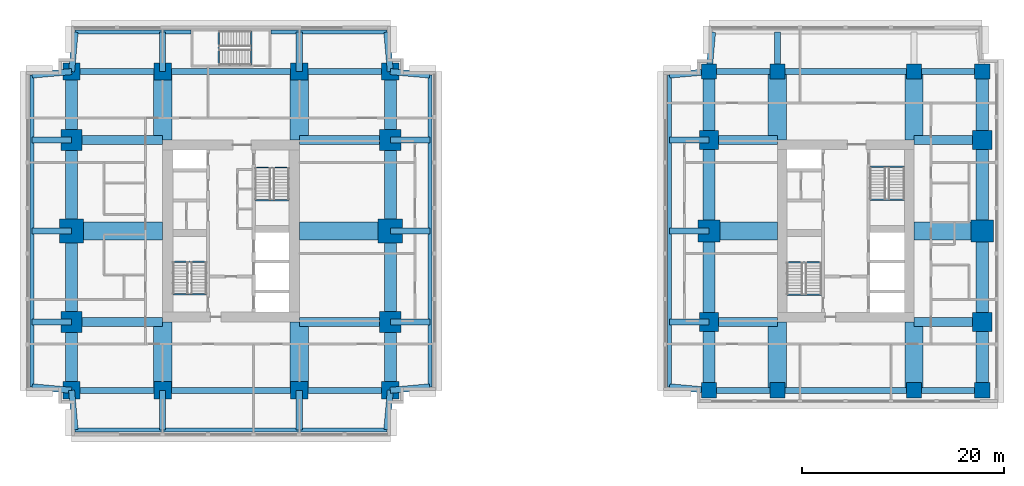
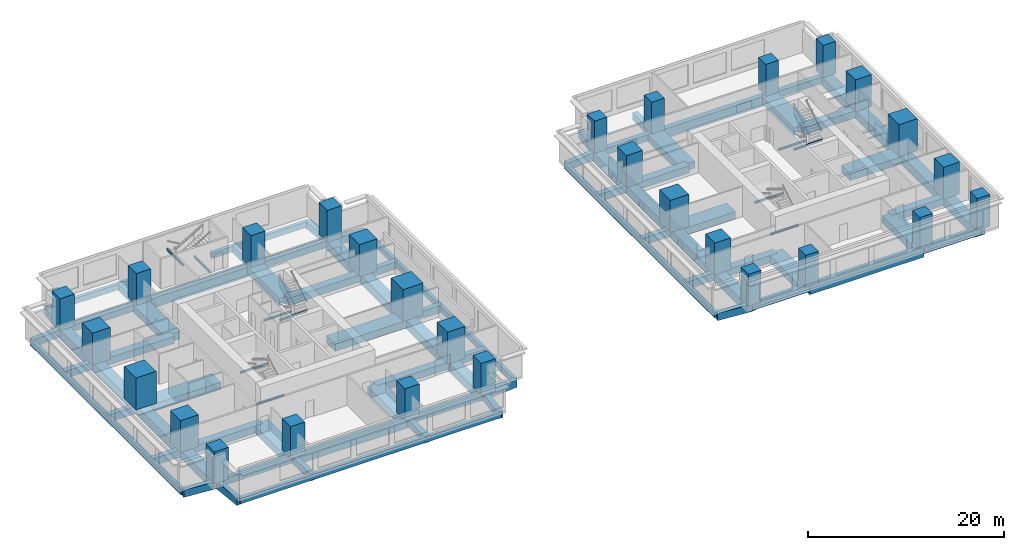
# One storey, part 1 of 10: 89 beams, 28 columns.
"""IFC4 building model written with IfcOpenShell, lengths in metres."""

from ifc_helpers import new_model, si_unit, direction, frame, origin, origin_2d, place, context, subcontext, project, spatial, rectangle, i_section, extrude, material, material_profile, profile_set, type_object, element, save


model = new_model("IFC4")

# Units and contexts
model_context = context("Model", 3, precision=1e-05, world=origin(), true_north=direction((0.0, 1.0)))
body_context = subcontext(model_context, "Body", "Model", "MODEL_VIEW")
ifc_project = project(units=[si_unit("LENGTHUNIT", "METRE"), si_unit("AREAUNIT", "SQUARE_METRE"), si_unit("VOLUMEUNIT", "CUBIC_METRE"), si_unit("PLANEANGLEUNIT", "RADIAN"), si_unit("MASSUNIT", "GRAM", prefix="KILO")], contexts=[model_context])

# Site, building, storey
site_placement = place(None, origin())
site = spatial("IfcSite", under=ifc_project, at=site_placement, CompositionType="ELEMENT")
building_placement = place(site_placement, origin())
building = spatial("IfcBuilding", under=site, at=building_placement, Name="Namib Vertical Campus", CompositionType="ELEMENT")
storey_placement = place(building_placement, frame((0.0, 0.0, 141.0)))
storey = spatial("IfcBuildingStorey", under=building, at=storey_placement, Name="L33", CompositionType="ELEMENT", Elevation=141.0)

# Columns
ifc_material_1 = material(Name="Concrete C60/75", Category="concrete")
ifc_material_profile_1 = material_profile(ifc_material_1, rectangle(XDim=1.5, YDim=1.5, at=origin_2d()))
ifc_profile_set_1 = profile_set([ifc_material_profile_1], Name="Concrete C60/75")
column_type_1 = type_object("IfcColumnType", Name="Column RC 1500x1500", PredefinedType="COLUMN", material=ifc_profile_set_1)
for number, where, z_axis, x_axis, name in (
    (1, (67.5, 4.5, 0.0), (0.0, 0.0, 1.0), (1.0, 0.0, 0.0), "Column C150 L33"),
    (2, (74.25, 4.5, 0.0), (0.0, 0.0, 1.0), (1.0, 0.0, 0.0), "Column C150 L33"),
    (3, (87.75, 4.5, 0.0), (0.0, 0.0, 1.0), (1.0, 0.0, 0.0), "Column C150 L33"),
    (4, (94.5, 4.5, 0.0), (0.0, 0.0, 1.0), (1.0, 0.0, 0.0), "Column C150 L33"),
    (5, (67.5, 36.0, 0.0), (0.0, 0.0, 1.0), (1.0, 0.0, 0.0), "Column C150 L33"),
    (6, (74.25, 36.0, 0.0), (0.0, 0.0, 1.0), (1.0, 0.0, 0.0), "Column C150 L33"),
    (7, (87.75, 36.0, 0.0), (0.0, 0.0, 1.0), (1.0, 0.0, 0.0), "Column C150 L33"),
    (8, (94.5, 36.0, 0.0), (0.0, 0.0, 1.0), (1.0, 0.0, 0.0), "Column C150 L33"),
):
    element("IfcColumn", number, at=place(storey_placement, frame(where, z_axis=z_axis, x_axis=x_axis)), inside=storey, type_object=column_type_1, Name=name, PredefinedType="COLUMN", context=body_context, shape_type="SweptSolid", body=[
        extrude(rectangle(XDim=1.5, YDim=1.5, at=origin_2d()), origin(), (0.0, 0.0, 1.0), 4.0),
    ])
ifc_material_2 = material(Name="Concrete C60/75", Category="concrete")
ifc_material_profile_2 = material_profile(ifc_material_2, rectangle(XDim=1.699951171875, YDim=1.699951171875, at=origin_2d()))
ifc_profile_set_2 = profile_set([ifc_material_profile_2], Name="Concrete C60/75")
column_type_2 = type_object("IfcColumnType", Name="Column RC 1700x1700", PredefinedType="COLUMN", material=ifc_profile_set_2)
for number, where, z_axis, x_axis, name in (
    (9, (4.5, 4.5, 0.0), (0.0, 0.0, 1.0), (1.0, 0.0, 0.0), "Column C170 L33"),
    (10, (13.5, 4.5, 0.0), (0.0, 0.0, 1.0), (1.0, 0.0, 0.0), "Column C170 L33"),
    (11, (27.0, 4.5, 0.0), (0.0, 0.0, 1.0), (1.0, 0.0, 0.0), "Column C170 L33"),
    (12, (36.0, 4.5, 0.0), (0.0, 0.0, 1.0), (1.0, 0.0, 0.0), "Column C170 L33"),
    (13, (4.5, 36.0, 0.0), (0.0, 0.0, 1.0), (1.0, 0.0, 0.0), "Column C170 L33"),
    (14, (13.5, 36.0, 0.0), (0.0, 0.0, 1.0), (1.0, 0.0, 0.0), "Column C170 L33"),
    (15, (27.0, 36.0, 0.0), (0.0, 0.0, 1.0), (1.0, 0.0, 0.0), "Column C170 L33"),
    (16, (36.0, 36.0, 0.0), (0.0, 0.0, 1.0), (1.0, 0.0, 0.0), "Column C170 L33"),
):
    element("IfcColumn", number, at=place(storey_placement, frame(where, z_axis=z_axis, x_axis=x_axis)), inside=storey, type_object=column_type_2, Name=name, PredefinedType="COLUMN", context=body_context, shape_type="SweptSolid", body=[
        extrude(rectangle(XDim=1.699951171875, YDim=1.699951171875, at=origin_2d()), origin(), (0.0, 0.0, 1.0), 4.0),
    ])
ifc_material_3 = material(Name="Concrete C60/75", Category="concrete")
ifc_material_profile_3 = material_profile(ifc_material_3, rectangle(XDim=1.89990234375, YDim=1.89990234375, at=origin_2d()))
ifc_profile_set_3 = profile_set([ifc_material_profile_3], Name="Concrete C60/75")
column_type_3 = type_object("IfcColumnType", Name="Column RC 1900x1900", PredefinedType="COLUMN", material=ifc_profile_set_3)
for number, where, z_axis, x_axis, name in (
    (17, (67.5, 11.25, 0.0), (0.0, 0.0, 1.0), (1.0, 0.0, 0.0), "Column C190 L33"),
    (18, (94.5, 11.25, 0.0), (0.0, 0.0, 1.0), (1.0, 0.0, 0.0), "Column C190 L33"),
    (19, (67.5, 29.25, 0.0), (0.0, 0.0, 1.0), (1.0, 0.0, 0.0), "Column C190 L33"),
    (20, (94.5, 29.25, 0.0), (0.0, 0.0, 1.0), (1.0, 0.0, 0.0), "Column C190 L33"),
):
    element("IfcColumn", number, at=place(storey_placement, frame(where, z_axis=z_axis, x_axis=x_axis)), inside=storey, type_object=column_type_3, Name=name, PredefinedType="COLUMN", context=body_context, shape_type="SweptSolid", body=[
        extrude(rectangle(XDim=1.89990234375, YDim=1.89990234375, at=origin_2d()), origin(), (0.0, 0.0, 1.0), 4.0),
    ])
ifc_material_4 = material(Name="Concrete C60/75", Category="concrete")
ifc_material_profile_4 = material_profile(ifc_material_4, rectangle(XDim=2.10009765625, YDim=2.10009765625, at=origin_2d()))
ifc_profile_set_4 = profile_set([ifc_material_profile_4], Name="Concrete C60/75")
column_type_4 = type_object("IfcColumnType", Name="Column RC 2100x2100", PredefinedType="COLUMN", material=ifc_profile_set_4)
for number, where, z_axis, x_axis, name in (
    (21, (4.5, 11.25, 0.0), (0.0, 0.0, 1.0), (1.0, 0.0, 0.0), "Column C210 L33"),
    (22, (36.0, 11.25, 0.0), (0.0, 0.0, 1.0), (1.0, 0.0, 0.0), "Column C210 L33"),
    (23, (4.5, 29.25, 0.0), (0.0, 0.0, 1.0), (1.0, 0.0, 0.0), "Column C210 L33"),
    (24, (36.0, 29.25, 0.0), (0.0, 0.0, 1.0), (1.0, 0.0, 0.0), "Column C210 L33"),
):
    element("IfcColumn", number, at=place(storey_placement, frame(where, z_axis=z_axis, x_axis=x_axis)), inside=storey, type_object=column_type_4, Name=name, PredefinedType="COLUMN", context=body_context, shape_type="SweptSolid", body=[
        extrude(rectangle(XDim=2.10009765625, YDim=2.10009765625, at=origin_2d()), origin(), (0.0, 0.0, 1.0), 4.0),
    ])
ifc_material_5 = material(Name="Concrete C60/75", Category="concrete")
ifc_material_profile_5 = material_profile(ifc_material_5, rectangle(XDim=2.199951171875, YDim=2.199951171875, at=origin_2d()))
ifc_profile_set_5 = profile_set([ifc_material_profile_5], Name="Concrete C60/75")
column_type_5 = type_object("IfcColumnType", Name="Column RC 2200x2200", PredefinedType="COLUMN", material=ifc_profile_set_5)
for number, where, z_axis, x_axis, name in (
    (25, (67.5, 20.25, 0.0), (0.0, 0.0, 1.0), (1.0, 0.0, 0.0), "Column C220 L33"),
    (26, (94.5, 20.25, 0.0), (0.0, 0.0, 1.0), (1.0, 0.0, 0.0), "Column C220 L33"),
):
    element("IfcColumn", number, at=place(storey_placement, frame(where, z_axis=z_axis, x_axis=x_axis)), inside=storey, type_object=column_type_5, Name=name, PredefinedType="COLUMN", context=body_context, shape_type="SweptSolid", body=[
        extrude(rectangle(XDim=2.199951171875, YDim=2.199951171875, at=origin_2d()), origin(), (0.0, 0.0, 1.0), 4.0),
    ])
ifc_material_6 = material(Name="Concrete C60/75", Category="concrete")
ifc_material_profile_6 = material_profile(ifc_material_6, rectangle(XDim=2.39990234375, YDim=2.39990234375, at=origin_2d()))
ifc_profile_set_6 = profile_set([ifc_material_profile_6], Name="Concrete C60/75")
column_type_6 = type_object("IfcColumnType", Name="Column RC 2400x2400", PredefinedType="COLUMN", material=ifc_profile_set_6)
for number, where, z_axis, x_axis, name in (
    (27, (4.5, 20.25, 0.0), (0.0, 0.0, 1.0), (1.0, 0.0, 0.0), "Column C240 L33"),
    (28, (36.0, 20.25, 0.0), (0.0, 0.0, 1.0), (1.0, 0.0, 0.0), "Column C240 L33"),
):
    element("IfcColumn", number, at=place(storey_placement, frame(where, z_axis=z_axis, x_axis=x_axis)), inside=storey, type_object=column_type_6, Name=name, PredefinedType="COLUMN", context=body_context, shape_type="SweptSolid", body=[
        extrude(rectangle(XDim=2.39990234375, YDim=2.39990234375, at=origin_2d()), origin(), (0.0, 0.0, 1.0), 4.0),
    ])

# Beams
ifc_material_7 = material(Name="Concrete C40/50", Category="concrete")
ifc_material_profile_7 = material_profile(ifc_material_7, rectangle(XDim=0.60009765625, YDim=0.89990234375, at=origin_2d()))
ifc_profile_set_7 = profile_set([ifc_material_profile_7], Name="Concrete C40/50")
beam_type_1 = type_object("IfcBeamType", Name="Cantilever girder RC 600x900", PredefinedType="BEAM", material=ifc_profile_set_7)
beam_1_placement = place(storey_placement, frame((4.5, 4.5, -0.699951171875), z_axis=(0.089411326146, -0.995994786511, 0.0), x_axis=(0.995994786511, 0.089411326146, 0.0)))
element("IfcBeam", 29, at=beam_1_placement, inside=storey, type_object=beam_type_1, Name="Beam B3 L33", PredefinedType="BEAM", context=body_context, shape_type="SweptSolid", body=[
    extrude(rectangle(XDim=0.60009765625, YDim=0.89990234375, at=origin_2d()), origin(), (0.0, 0.0, 1.0), 3.91552734375),
])
for number, where, z_axis, x_axis, name in (
    (30, (13.5, 4.5, -0.699951171875), (0.0, -1.0, 0.0), (1.0, 0.0, 0.0), "Beam B3 L33"),
    (31, (27.0, 4.5, -0.699951171875), (0.0, -1.0, 0.0), (1.0, 0.0, 0.0), "Beam B3 L33"),
):
    element("IfcBeam", number, at=place(storey_placement, frame(where, z_axis=z_axis, x_axis=x_axis)), inside=storey, type_object=beam_type_1, Name=name, PredefinedType="BEAM", context=body_context, shape_type="SweptSolid", body=[
        extrude(rectangle(XDim=0.60009765625, YDim=0.89990234375, at=origin_2d()), origin(), (0.0, 0.0, 1.0), 3.89990234375),
    ])
for number, where, z_axis, x_axis, name in (
    (32, (36.0, 4.5, -0.699951171875), (-0.089411326146, -0.995994786511, 0.0), (0.995994786511, -0.089411326146, 0.0), "Beam B3 L33"),
    (33, (4.5, 36.0, -0.699951171875), (0.089411326146, 0.995994786511, 0.0), (-0.995994786511, 0.089411326146, 0.0), "Beam B3 L33"),
):
    element("IfcBeam", number, at=place(storey_placement, frame(where, z_axis=z_axis, x_axis=x_axis)), inside=storey, type_object=beam_type_1, Name=name, PredefinedType="BEAM", context=body_context, shape_type="SweptSolid", body=[
        extrude(rectangle(XDim=0.60009765625, YDim=0.89990234375, at=origin_2d()), origin(), (0.0, 0.0, 1.0), 3.91552734375),
    ])
for number, where, z_axis, x_axis, name in (
    (34, (13.5, 36.0, -0.699951171875), (0.0, 1.0, 0.0), (-1.0, 0.0, 0.0), "Beam B3 L33"),
    (35, (27.0, 36.0, -0.699951171875), (0.0, 1.0, 0.0), (-1.0, 0.0, 0.0), "Beam B3 L33"),
):
    element("IfcBeam", number, at=place(storey_placement, frame(where, z_axis=z_axis, x_axis=x_axis)), inside=storey, type_object=beam_type_1, Name=name, PredefinedType="BEAM", context=body_context, shape_type="SweptSolid", body=[
        extrude(rectangle(XDim=0.60009765625, YDim=0.89990234375, at=origin_2d()), origin(), (0.0, 0.0, 1.0), 3.89990234375),
    ])
for number, where, z_axis, x_axis, name in (
    (36, (36.0, 36.0, -0.699951171875), (-0.089411326146, 0.995994786511, 0.0), (-0.995994786511, -0.089411326146, 0.0), "Beam B3 L33"),
    (37, (4.5, 4.5, -0.699951171875), (-0.995994786511, 0.089411326146, 0.0), (-0.089411326146, -0.995994786511, 0.0), "Beam B3 L33"),
):
    element("IfcBeam", number, at=place(storey_placement, frame(where, z_axis=z_axis, x_axis=x_axis)), inside=storey, type_object=beam_type_1, Name=name, PredefinedType="BEAM", context=body_context, shape_type="SweptSolid", body=[
        extrude(rectangle(XDim=0.60009765625, YDim=0.89990234375, at=origin_2d()), origin(), (0.0, 0.0, 1.0), 3.91552734375),
    ])
for number, where, z_axis, x_axis, name in (
    (38, (4.5, 11.25, -0.699951171875), (-1.0, 0.0, 0.0), (0.0, -1.0, 0.0), "Beam B3 L33"),
    (39, (4.5, 20.25, -0.699951171875), (-1.0, 0.0, 0.0), (0.0, -1.0, 0.0), "Beam B3 L33"),
    (40, (4.5, 29.25, -0.699951171875), (-1.0, 0.0, 0.0), (0.0, -1.0, 0.0), "Beam B3 L33"),
):
    element("IfcBeam", number, at=place(storey_placement, frame(where, z_axis=z_axis, x_axis=x_axis)), inside=storey, type_object=beam_type_1, Name=name, PredefinedType="BEAM", context=body_context, shape_type="SweptSolid", body=[
        extrude(rectangle(XDim=0.60009765625, YDim=0.89990234375, at=origin_2d()), origin(), (0.0, 0.0, 1.0), 3.89990234375),
    ])
for number, where, z_axis, x_axis, name in (
    (41, (4.5, 36.0, -0.699951171875), (-0.995994786511, -0.089411326146, 0.0), (0.089411326146, -0.995994786511, 0.0), "Beam B3 L33"),
    (42, (36.0, 4.5, -0.699951171875), (0.995994786511, 0.089411326146, 0.0), (-0.089411326146, 0.995994786511, 0.0), "Beam B3 L33"),
):
    element("IfcBeam", number, at=place(storey_placement, frame(where, z_axis=z_axis, x_axis=x_axis)), inside=storey, type_object=beam_type_1, Name=name, PredefinedType="BEAM", context=body_context, shape_type="SweptSolid", body=[
        extrude(rectangle(XDim=0.60009765625, YDim=0.89990234375, at=origin_2d()), origin(), (0.0, 0.0, 1.0), 3.91552734375),
    ])
for number, where, z_axis, x_axis, name in (
    (43, (36.0, 11.25, -0.699951171875), (1.0, 0.0, 0.0), (0.0, 1.0, 0.0), "Beam B3 L33"),
    (44, (36.0, 20.25, -0.699951171875), (1.0, 0.0, 0.0), (0.0, 1.0, 0.0), "Beam B3 L33"),
    (45, (36.0, 29.25, -0.699951171875), (1.0, 0.0, 0.0), (0.0, 1.0, 0.0), "Beam B3 L33"),
):
    element("IfcBeam", number, at=place(storey_placement, frame(where, z_axis=z_axis, x_axis=x_axis)), inside=storey, type_object=beam_type_1, Name=name, PredefinedType="BEAM", context=body_context, shape_type="SweptSolid", body=[
        extrude(rectangle(XDim=0.60009765625, YDim=0.89990234375, at=origin_2d()), origin(), (0.0, 0.0, 1.0), 3.89990234375),
    ])
for number, where, z_axis, x_axis, name in (
    (46, (36.0, 36.0, -0.699951171875), (0.995994786511, -0.089411326146, 0.0), (0.089411326146, 0.995994786511, 0.0), "Beam B3 L33"),
    (47, (67.5, 36.0, -0.699951171875), (0.089411326146, 0.995994786511, 0.0), (-0.995994786511, 0.089411326146, 0.0), "Beam B3 L33"),
):
    element("IfcBeam", number, at=place(storey_placement, frame(where, z_axis=z_axis, x_axis=x_axis)), inside=storey, type_object=beam_type_1, Name=name, PredefinedType="BEAM", context=body_context, shape_type="SweptSolid", body=[
        extrude(rectangle(XDim=0.60009765625, YDim=0.89990234375, at=origin_2d()), origin(), (0.0, 0.0, 1.0), 3.91552734375),
    ])
beam_2_placement = place(storey_placement, frame((74.25, 36.0, -0.699951171875), z_axis=(0.0, 1.0, 0.0), x_axis=(-1.0, 0.0, 0.0)))
element("IfcBeam", 48, at=beam_2_placement, inside=storey, type_object=beam_type_1, Name="Beam B3 L33", PredefinedType="BEAM", context=body_context, shape_type="SweptSolid", body=[
    extrude(rectangle(XDim=0.60009765625, YDim=0.89990234375, at=origin_2d()), origin(), (0.0, 0.0, 1.0), 3.89990234375),
])
beam_3_placement = place(storey_placement, frame((67.5, 4.5, -0.699951171875), z_axis=(-0.995994786511, 0.089411326146, 0.0), x_axis=(-0.089411326146, -0.995994786511, 0.0)))
element("IfcBeam", 49, at=beam_3_placement, inside=storey, type_object=beam_type_1, Name="Beam B3 L33", PredefinedType="BEAM", context=body_context, shape_type="SweptSolid", body=[
    extrude(rectangle(XDim=0.60009765625, YDim=0.89990234375, at=origin_2d()), origin(), (0.0, 0.0, 1.0), 3.91552734375),
])
for number, where, z_axis, x_axis, name in (
    (50, (67.5, 11.25, -0.699951171875), (-1.0, 0.0, 0.0), (0.0, -1.0, 0.0), "Beam B3 L33"),
    (51, (67.5, 20.25, -0.699951171875), (-1.0, 0.0, 0.0), (0.0, -1.0, 0.0), "Beam B3 L33"),
    (52, (67.5, 29.25, -0.699951171875), (-1.0, 0.0, 0.0), (0.0, -1.0, 0.0), "Beam B3 L33"),
):
    element("IfcBeam", number, at=place(storey_placement, frame(where, z_axis=z_axis, x_axis=x_axis)), inside=storey, type_object=beam_type_1, Name=name, PredefinedType="BEAM", context=body_context, shape_type="SweptSolid", body=[
        extrude(rectangle(XDim=0.60009765625, YDim=0.89990234375, at=origin_2d()), origin(), (0.0, 0.0, 1.0), 3.89990234375),
    ])
beam_4_placement = place(storey_placement, frame((67.5, 36.0, -0.699951171875), z_axis=(-0.995994786511, -0.089411326146, 0.0), x_axis=(0.089411326146, -0.995994786511, 0.0)))
element("IfcBeam", 53, at=beam_4_placement, inside=storey, type_object=beam_type_1, Name="Beam B3 L33", PredefinedType="BEAM", context=body_context, shape_type="SweptSolid", body=[
    extrude(rectangle(XDim=0.60009765625, YDim=0.89990234375, at=origin_2d()), origin(), (0.0, 0.0, 1.0), 3.91552734375),
])
ifc_material_8 = material(Name="Concrete C40/50", Category="concrete")
ifc_material_profile_8 = material_profile(ifc_material_8, rectangle(XDim=0.39990234375, YDim=0.699951171875, at=origin_2d()))
ifc_profile_set_8 = profile_set([ifc_material_profile_8], Name="Concrete C40/50")
beam_type_2 = type_object("IfcBeamType", Name="Edge beam RC 400x700", PredefinedType="SPANDREL", material=ifc_profile_set_8)
beam_5_placement = place(storey_placement, frame((4.85009765625, 0.60009765625, -0.60009765625), z_axis=(1.0, 0.0, 0.0), x_axis=(0.0, 1.0, 0.0)))
element("IfcBeam", 54, at=beam_5_placement, inside=storey, type_object=beam_type_2, Name="Beam B4 L33", PredefinedType="SPANDREL", context=body_context, shape_type="SweptSolid", body=[
    extrude(rectangle(XDim=0.39990234375, YDim=0.699951171875, at=origin_2d()), origin(), (0.0, 0.0, 1.0), 30.7998046875),
])
for number, where, z_axis, x_axis, name in (
    (55, (4.85009765625, 39.89990234375, -0.60009765625), (1.0, 0.0, 0.0), (0.0, 1.0, 0.0), "Beam B4 L33"),
    (56, (24.199951171875, 39.89990234375, -0.60009765625), (1.0, 0.0, 0.0), (0.0, 1.0, 0.0), "Beam B4 L33"),
):
    element("IfcBeam", number, at=place(storey_placement, frame(where, z_axis=z_axis, x_axis=x_axis)), inside=storey, type_object=beam_type_2, Name=name, PredefinedType="SPANDREL", context=body_context, shape_type="SweptSolid", body=[
        extrude(rectangle(XDim=0.39990234375, YDim=0.699951171875, at=origin_2d()), origin(), (0.0, 0.0, 1.0), 11.449951171875),
    ])
for number, where, z_axis, x_axis, name in (
    (57, (0.60009765625, 4.85009765625, -0.60009765625), (0.0, 1.0, 0.0), (-1.0, 0.0, 0.0), "Beam B4 L33"),
    (58, (39.89990234375, 4.85009765625, -0.60009765625), (0.0, 1.0, 0.0), (-1.0, 0.0, 0.0), "Beam B4 L33"),
    (59, (63.60009765625, 4.85009765625, -0.60009765625), (0.0, 1.0, 0.0), (-1.0, 0.0, 0.0), "Beam B4 L33"),
):
    element("IfcBeam", number, at=place(storey_placement, frame(where, z_axis=z_axis, x_axis=x_axis)), inside=storey, type_object=beam_type_2, Name=name, PredefinedType="SPANDREL", context=body_context, shape_type="SweptSolid", body=[
        extrude(rectangle(XDim=0.39990234375, YDim=0.699951171875, at=origin_2d()), origin(), (0.0, 0.0, 1.0), 30.7998046875),
    ])
ifc_material_9 = material(Name="Concrete C40/50", Category="concrete")
ifc_material_profile_9 = material_profile(ifc_material_9, rectangle(XDim=0.89990234375, YDim=0.89990234375, at=origin_2d()))
ifc_profile_set_9 = profile_set([ifc_material_profile_9], Name="Concrete C40/50")
beam_type_3 = type_object("IfcBeamType", Name="Face girder RC 900x900", PredefinedType="BEAM", material=ifc_profile_set_9)
for number, where, z_axis, x_axis, name in (
    (60, (4.5, 11.25, -0.699951171875), (1.0, 0.0, 0.0), (0.0, 1.0, 0.0), "Beam B10 L33"),
    (61, (36.0, 11.25, -0.699951171875), (-1.0, 0.0, 0.0), (0.0, -1.0, 0.0), "Beam B10 L33"),
    (62, (4.5, 29.25, -0.699951171875), (1.0, 0.0, 0.0), (0.0, 1.0, 0.0), "Beam B10 L33"),
    (63, (36.0, 29.25, -0.699951171875), (-1.0, 0.0, 0.0), (0.0, -1.0, 0.0), "Beam B10 L33"),
):
    element("IfcBeam", number, at=place(storey_placement, frame(where, z_axis=z_axis, x_axis=x_axis)), inside=storey, type_object=beam_type_3, Name=name, PredefinedType="BEAM", context=body_context, shape_type="SweptSolid", body=[
        extrude(rectangle(XDim=0.89990234375, YDim=0.89990234375, at=origin_2d()), origin(), (0.0, 0.0, 1.0), 9.0),
    ])
for number, where, z_axis, x_axis, name in (
    (64, (67.5, 11.25, -0.699951171875), (1.0, 0.0, 0.0), (0.0, 1.0, 0.0), "Beam B10 L33"),
    (65, (94.5, 11.25, -0.699951171875), (-1.0, 0.0, 0.0), (0.0, -1.0, 0.0), "Beam B10 L33"),
    (66, (67.5, 29.25, -0.699951171875), (1.0, 0.0, 0.0), (0.0, 1.0, 0.0), "Beam B10 L33"),
    (67, (94.5, 29.25, -0.699951171875), (-1.0, 0.0, 0.0), (0.0, -1.0, 0.0), "Beam B10 L33"),
):
    element("IfcBeam", number, at=place(storey_placement, frame(where, z_axis=z_axis, x_axis=x_axis)), inside=storey, type_object=beam_type_3, Name=name, PredefinedType="BEAM", context=body_context, shape_type="SweptSolid", body=[
        extrude(rectangle(XDim=0.89990234375, YDim=0.89990234375, at=origin_2d()), origin(), (0.0, 0.0, 1.0), 6.75),
    ])
ifc_material_10 = material(Name="Concrete C40/50", Category="concrete")
ifc_material_profile_10 = material_profile(ifc_material_10, rectangle(XDim=1.199951171875, YDim=1.10009765625, at=origin_2d()))
ifc_profile_set_10 = profile_set([ifc_material_profile_10], Name="Concrete C40/50")
beam_type_4 = type_object("IfcBeamType", Name="Face ring beam RC 1200x1100", PredefinedType="BEAM", material=ifc_profile_set_10)
beam_6_placement = place(storey_placement, frame((4.5, 4.5, -0.800048828125), z_axis=(0.0, 1.0, 0.0), x_axis=(-1.0, 0.0, 0.0)))
element("IfcBeam", 68, at=beam_6_placement, inside=storey, type_object=beam_type_4, Name="Beam B11 L33", PredefinedType="BEAM", context=body_context, shape_type="SweptSolid", body=[
    extrude(rectangle(XDim=1.199951171875, YDim=1.10009765625, at=origin_2d()), origin(), (0.0, 0.0, 1.0), 6.75),
])
for number, where, z_axis, x_axis, name in (
    (69, (4.5, 11.25, -0.800048828125), (0.0, 1.0, 0.0), (-1.0, 0.0, 0.0), "Beam B11 L33"),
    (70, (4.5, 20.25, -0.800048828125), (0.0, 1.0, 0.0), (-1.0, 0.0, 0.0), "Beam B11 L33"),
):
    element("IfcBeam", number, at=place(storey_placement, frame(where, z_axis=z_axis, x_axis=x_axis)), inside=storey, type_object=beam_type_4, Name=name, PredefinedType="BEAM", context=body_context, shape_type="SweptSolid", body=[
        extrude(rectangle(XDim=1.199951171875, YDim=1.10009765625, at=origin_2d()), origin(), (0.0, 0.0, 1.0), 9.0),
    ])
for number, where, z_axis, x_axis, name in (
    (71, (4.5, 29.25, -0.800048828125), (0.0, 1.0, 0.0), (-1.0, 0.0, 0.0), "Beam B11 L33"),
    (72, (36.0, 4.5, -0.800048828125), (0.0, 1.0, 0.0), (-1.0, 0.0, 0.0), "Beam B11 L33"),
):
    element("IfcBeam", number, at=place(storey_placement, frame(where, z_axis=z_axis, x_axis=x_axis)), inside=storey, type_object=beam_type_4, Name=name, PredefinedType="BEAM", context=body_context, shape_type="SweptSolid", body=[
        extrude(rectangle(XDim=1.199951171875, YDim=1.10009765625, at=origin_2d()), origin(), (0.0, 0.0, 1.0), 6.75),
    ])
for number, where, z_axis, x_axis, name in (
    (73, (36.0, 11.25, -0.800048828125), (0.0, 1.0, 0.0), (-1.0, 0.0, 0.0), "Beam B11 L33"),
    (74, (36.0, 20.25, -0.800048828125), (0.0, 1.0, 0.0), (-1.0, 0.0, 0.0), "Beam B11 L33"),
):
    element("IfcBeam", number, at=place(storey_placement, frame(where, z_axis=z_axis, x_axis=x_axis)), inside=storey, type_object=beam_type_4, Name=name, PredefinedType="BEAM", context=body_context, shape_type="SweptSolid", body=[
        extrude(rectangle(XDim=1.199951171875, YDim=1.10009765625, at=origin_2d()), origin(), (0.0, 0.0, 1.0), 9.0),
    ])
for number, where, z_axis, x_axis, name in (
    (75, (36.0, 29.25, -0.800048828125), (0.0, 1.0, 0.0), (-1.0, 0.0, 0.0), "Beam B11 L33"),
    (76, (67.5, 4.5, -0.800048828125), (0.0, 1.0, 0.0), (-1.0, 0.0, 0.0), "Beam B11 L33"),
):
    element("IfcBeam", number, at=place(storey_placement, frame(where, z_axis=z_axis, x_axis=x_axis)), inside=storey, type_object=beam_type_4, Name=name, PredefinedType="BEAM", context=body_context, shape_type="SweptSolid", body=[
        extrude(rectangle(XDim=1.199951171875, YDim=1.10009765625, at=origin_2d()), origin(), (0.0, 0.0, 1.0), 6.75),
    ])
for number, where, z_axis, x_axis, name in (
    (77, (67.5, 11.25, -0.800048828125), (0.0, 1.0, 0.0), (-1.0, 0.0, 0.0), "Beam B11 L33"),
    (78, (67.5, 20.25, -0.800048828125), (0.0, 1.0, 0.0), (-1.0, 0.0, 0.0), "Beam B11 L33"),
):
    element("IfcBeam", number, at=place(storey_placement, frame(where, z_axis=z_axis, x_axis=x_axis)), inside=storey, type_object=beam_type_4, Name=name, PredefinedType="BEAM", context=body_context, shape_type="SweptSolid", body=[
        extrude(rectangle(XDim=1.199951171875, YDim=1.10009765625, at=origin_2d()), origin(), (0.0, 0.0, 1.0), 9.0),
    ])
for number, where, z_axis, x_axis, name in (
    (79, (67.5, 29.25, -0.800048828125), (0.0, 1.0, 0.0), (-1.0, 0.0, 0.0), "Beam B11 L33"),
    (80, (94.5, 4.5, -0.800048828125), (0.0, 1.0, 0.0), (-1.0, 0.0, 0.0), "Beam B11 L33"),
):
    element("IfcBeam", number, at=place(storey_placement, frame(where, z_axis=z_axis, x_axis=x_axis)), inside=storey, type_object=beam_type_4, Name=name, PredefinedType="BEAM", context=body_context, shape_type="SweptSolid", body=[
        extrude(rectangle(XDim=1.199951171875, YDim=1.10009765625, at=origin_2d()), origin(), (0.0, 0.0, 1.0), 6.75),
    ])
for number, where, z_axis, x_axis, name in (
    (81, (94.5, 11.25, -0.800048828125), (0.0, 1.0, 0.0), (-1.0, 0.0, 0.0), "Beam B11 L33"),
    (82, (94.5, 20.25, -0.800048828125), (0.0, 1.0, 0.0), (-1.0, 0.0, 0.0), "Beam B11 L33"),
):
    element("IfcBeam", number, at=place(storey_placement, frame(where, z_axis=z_axis, x_axis=x_axis)), inside=storey, type_object=beam_type_4, Name=name, PredefinedType="BEAM", context=body_context, shape_type="SweptSolid", body=[
        extrude(rectangle(XDim=1.199951171875, YDim=1.10009765625, at=origin_2d()), origin(), (0.0, 0.0, 1.0), 9.0),
    ])
beam_7_placement = place(storey_placement, frame((94.5, 29.25, -0.800048828125), z_axis=(0.0, 1.0, 0.0), x_axis=(-1.0, 0.0, 0.0)))
element("IfcBeam", 83, at=beam_7_placement, inside=storey, type_object=beam_type_4, Name="Beam B11 L33", PredefinedType="BEAM", context=body_context, shape_type="SweptSolid", body=[
    extrude(rectangle(XDim=1.199951171875, YDim=1.10009765625, at=origin_2d()), origin(), (0.0, 0.0, 1.0), 6.75),
])
ifc_material_11 = material(Name="Steel S355JR", Category="steel")
ifc_material_profile_11 = material_profile(ifc_material_11, i_section(OverallWidth=0.14599609375, OverallDepth=0.25146484375, WebThickness=0.006103515625, FlangeThickness=0.008544921875, FilletRadius=0.007568359375, at=origin_2d()))
ifc_profile_set_11 = profile_set([ifc_material_profile_11], Name="Steel S355JR")
beam_type_5 = type_object("IfcBeamType", Name="Landing trimmer UB 254x146x31", PredefinedType="BEAM", material=ifc_profile_set_11)
for number, where, z_axis, x_axis, name in (
    (84, (14.5, 13.97705078125, -0.125732421875), (1.0, 0.0, 0.0), (0.0, 1.0, 0.0), "Landing trimmer LT1 A-S1 L33 1"),
    (85, (14.5, 17.203125, 1.874267578125), (1.0, 0.0, 0.0), (0.0, 1.0, 0.0), "Landing trimmer LT1 A-S1 L33 2"),
    (86, (22.64990234375, 26.52294921875, -0.125732421875), (1.0, 0.0, 0.0), (0.0, 1.0, 0.0), "Landing trimmer LT1 A-S2 L33 1"),
    (87, (22.64990234375, 23.296875, 1.874267578125), (1.0, 0.0, 0.0), (0.0, 1.0, 0.0), "Landing trimmer LT1 A-S2 L33 2"),
):
    element("IfcBeam", number, at=place(storey_placement, frame(where, z_axis=z_axis, x_axis=x_axis)), inside=storey, type_object=beam_type_5, Name=name, PredefinedType="BEAM", context=body_context, shape_type="SweptSolid", body=[
        extrude(i_section(OverallWidth=0.14599609375, OverallDepth=0.25146484375, WebThickness=0.006103515625, FlangeThickness=0.008544921875, FilletRadius=0.007568359375, at=origin_2d()), origin(), (0.0, 0.0, 1.0), 3.35009765625),
    ])
for number, where, z_axis, x_axis, name in (
    (88, (75.199951171875, 13.927001953125, -0.125732421875), (1.0, 0.0, 0.0), (0.0, 1.0, 0.0), "Landing trimmer LT1 B-S1 L33 1"),
    (89, (75.199951171875, 17.153076171875, 1.874267578125), (1.0, 0.0, 0.0), (0.0, 1.0, 0.0), "Landing trimmer LT1 B-S1 L33 2"),
    (90, (83.39990234375, 26.572998046875, -0.125732421875), (1.0, 0.0, 0.0), (0.0, 1.0, 0.0), "Landing trimmer LT1 B-S2 L33 1"),
    (91, (83.39990234375, 23.346923828125, 1.874267578125), (1.0, 0.0, 0.0), (0.0, 1.0, 0.0), "Landing trimmer LT1 B-S2 L33 2"),
):
    element("IfcBeam", number, at=place(storey_placement, frame(where, z_axis=z_axis, x_axis=x_axis)), inside=storey, type_object=beam_type_5, Name=name, PredefinedType="BEAM", context=body_context, shape_type="SweptSolid", body=[
        extrude(i_section(OverallWidth=0.14599609375, OverallDepth=0.25146484375, WebThickness=0.006103515625, FlangeThickness=0.008544921875, FilletRadius=0.007568359375, at=origin_2d()), origin(), (0.0, 0.0, 1.0), 3.400146484375),
    ])
for number, where, z_axis, x_axis, name in (
    (92, (22.27294921875, 36.64990234375, -0.125732421875), (0.0, 1.0, 0.0), (-1.0, 0.0, 0.0), "Landing trimmer LT1 A-S3 L33 1"),
    (93, (19.046875, 36.64990234375, 1.874267578125), (0.0, 1.0, 0.0), (-1.0, 0.0, 0.0), "Landing trimmer LT1 A-S3 L33 2"),
):
    element("IfcBeam", number, at=place(storey_placement, frame(where, z_axis=z_axis, x_axis=x_axis)), inside=storey, type_object=beam_type_5, Name=name, PredefinedType="BEAM", context=body_context, shape_type="SweptSolid", body=[
        extrude(i_section(OverallWidth=0.14599609375, OverallDepth=0.25146484375, WebThickness=0.006103515625, FlangeThickness=0.008544921875, FilletRadius=0.007568359375, at=origin_2d()), origin(), (0.0, 0.0, 1.0), 3.35009765625),
    ])
ifc_material_12 = material(Name="Concrete C40/50", Category="concrete")
ifc_material_profile_12 = material_profile(ifc_material_12, rectangle(XDim=0.60009765625, YDim=1.199951171875, at=origin_2d()))
ifc_profile_set_12 = profile_set([ifc_material_profile_12], Name="Concrete C40/50")
beam_type_6 = type_object("IfcBeamType", Name="Long-span ring beam RC 600x1200", PredefinedType="BEAM", material=ifc_profile_set_12)
for number, where, z_axis, x_axis, name in (
    (94, (13.5, 4.5, -0.85009765625), (1.0, 0.0, 0.0), (0.0, 1.0, 0.0), "Beam B9 L33"),
    (95, (13.5, 36.0, -0.85009765625), (1.0, 0.0, 0.0), (0.0, 1.0, 0.0), "Beam B9 L33"),
    (96, (74.25, 4.5, -0.85009765625), (1.0, 0.0, 0.0), (0.0, 1.0, 0.0), "Beam B9 L33"),
    (97, (74.25, 36.0, -0.85009765625), (1.0, 0.0, 0.0), (0.0, 1.0, 0.0), "Beam B9 L33"),
):
    element("IfcBeam", number, at=place(storey_placement, frame(where, z_axis=z_axis, x_axis=x_axis)), inside=storey, type_object=beam_type_6, Name=name, PredefinedType="BEAM", context=body_context, shape_type="SweptSolid", body=[
        extrude(rectangle(XDim=0.60009765625, YDim=1.199951171875, at=origin_2d()), origin(), (0.0, 0.0, 1.0), 13.5),
    ])
ifc_material_13 = material(Name="Concrete C40/50", Category="concrete")
ifc_material_profile_13 = material_profile(ifc_material_13, rectangle(XDim=1.800048828125, YDim=0.89990234375, at=origin_2d()))
ifc_profile_set_13 = profile_set([ifc_material_profile_13], Name="Concrete C40/50")
beam_type_7 = type_object("IfcBeamType", Name="Outrigger line girder RC 1800x900", PredefinedType="BEAM", material=ifc_profile_set_13)
for number, where, z_axis, x_axis, name in (
    (98, (13.5, 4.5, -0.699951171875), (0.0, 1.0, 0.0), (-1.0, 0.0, 0.0), "Beam B12 L33"),
    (99, (13.5, 36.0, -0.699951171875), (0.0, -1.0, 0.0), (1.0, 0.0, 0.0), "Beam B12 L33"),
    (100, (27.0, 4.5, -0.699951171875), (0.0, 1.0, 0.0), (-1.0, 0.0, 0.0), "Beam B12 L33"),
    (101, (27.0, 36.0, -0.699951171875), (0.0, -1.0, 0.0), (1.0, 0.0, 0.0), "Beam B12 L33"),
):
    element("IfcBeam", number, at=place(storey_placement, frame(where, z_axis=z_axis, x_axis=x_axis)), inside=storey, type_object=beam_type_7, Name=name, PredefinedType="BEAM", context=body_context, shape_type="SweptSolid", body=[
        extrude(rectangle(XDim=1.800048828125, YDim=0.89990234375, at=origin_2d()), origin(), (0.0, 0.0, 1.0), 6.75),
    ])
for number, where, z_axis, x_axis, name in (
    (102, (4.5, 20.25, -0.699951171875), (1.0, 0.0, 0.0), (0.0, 1.0, 0.0), "Beam B12 L33"),
    (103, (36.0, 20.25, -0.699951171875), (-1.0, 0.0, 0.0), (0.0, -1.0, 0.0), "Beam B12 L33"),
):
    element("IfcBeam", number, at=place(storey_placement, frame(where, z_axis=z_axis, x_axis=x_axis)), inside=storey, type_object=beam_type_7, Name=name, PredefinedType="BEAM", context=body_context, shape_type="SweptSolid", body=[
        extrude(rectangle(XDim=1.800048828125, YDim=0.89990234375, at=origin_2d()), origin(), (0.0, 0.0, 1.0), 9.0),
    ])
for number, where, z_axis, x_axis, name in (
    (104, (74.25, 4.5, -0.699951171875), (0.0, 1.0, 0.0), (-1.0, 0.0, 0.0), "Beam B12 L33"),
    (105, (74.25, 36.0, -0.699951171875), (0.0, -1.0, 0.0), (1.0, 0.0, 0.0), "Beam B12 L33"),
    (106, (87.75, 4.5, -0.699951171875), (0.0, 1.0, 0.0), (-1.0, 0.0, 0.0), "Beam B12 L33"),
    (107, (87.75, 36.0, -0.699951171875), (0.0, -1.0, 0.0), (1.0, 0.0, 0.0), "Beam B12 L33"),
    (108, (67.5, 20.25, -0.699951171875), (1.0, 0.0, 0.0), (0.0, 1.0, 0.0), "Beam B12 L33"),
    (109, (94.5, 20.25, -0.699951171875), (-1.0, 0.0, 0.0), (0.0, -1.0, 0.0), "Beam B12 L33"),
):
    element("IfcBeam", number, at=place(storey_placement, frame(where, z_axis=z_axis, x_axis=x_axis)), inside=storey, type_object=beam_type_7, Name=name, PredefinedType="BEAM", context=body_context, shape_type="SweptSolid", body=[
        extrude(rectangle(XDim=1.800048828125, YDim=0.89990234375, at=origin_2d()), origin(), (0.0, 0.0, 1.0), 6.75),
    ])
ifc_material_14 = material(Name="Concrete C40/50", Category="concrete")
ifc_material_profile_14 = material_profile(ifc_material_14, rectangle(XDim=0.60009765625, YDim=0.800048828125, at=origin_2d()))
ifc_profile_set_14 = profile_set([ifc_material_profile_14], Name="Concrete C40/50")
beam_type_8 = type_object("IfcBeamType", Name="Ring beam RC 600x800", PredefinedType="BEAM", material=ifc_profile_set_14)
for number, where, z_axis, x_axis, name in (
    (110, (4.5, 4.5, -0.64990234375), (1.0, 0.0, 0.0), (0.0, 1.0, 0.0), "Beam B1 L33"),
    (111, (27.0, 4.5, -0.64990234375), (1.0, 0.0, 0.0), (0.0, 1.0, 0.0), "Beam B1 L33"),
    (112, (4.5, 36.0, -0.64990234375), (1.0, 0.0, 0.0), (0.0, 1.0, 0.0), "Beam B1 L33"),
    (113, (27.0, 36.0, -0.64990234375), (1.0, 0.0, 0.0), (0.0, 1.0, 0.0), "Beam B1 L33"),
):
    element("IfcBeam", number, at=place(storey_placement, frame(where, z_axis=z_axis, x_axis=x_axis)), inside=storey, type_object=beam_type_8, Name=name, PredefinedType="BEAM", context=body_context, shape_type="SweptSolid", body=[
        extrude(rectangle(XDim=0.60009765625, YDim=0.800048828125, at=origin_2d()), origin(), (0.0, 0.0, 1.0), 9.0),
    ])
for number, where, z_axis, x_axis, name in (
    (114, (67.5, 4.5, -0.64990234375), (1.0, 0.0, 0.0), (0.0, 1.0, 0.0), "Beam B1 L33"),
    (115, (87.75, 4.5, -0.64990234375), (1.0, 0.0, 0.0), (0.0, 1.0, 0.0), "Beam B1 L33"),
    (116, (67.5, 36.0, -0.64990234375), (1.0, 0.0, 0.0), (0.0, 1.0, 0.0), "Beam B1 L33"),
    (117, (87.75, 36.0, -0.64990234375), (1.0, 0.0, 0.0), (0.0, 1.0, 0.0), "Beam B1 L33"),
):
    element("IfcBeam", number, at=place(storey_placement, frame(where, z_axis=z_axis, x_axis=x_axis)), inside=storey, type_object=beam_type_8, Name=name, PredefinedType="BEAM", context=body_context, shape_type="SweptSolid", body=[
        extrude(rectangle(XDim=0.60009765625, YDim=0.800048828125, at=origin_2d()), origin(), (0.0, 0.0, 1.0), 6.75),
    ])

save(model, "model.ifc")
